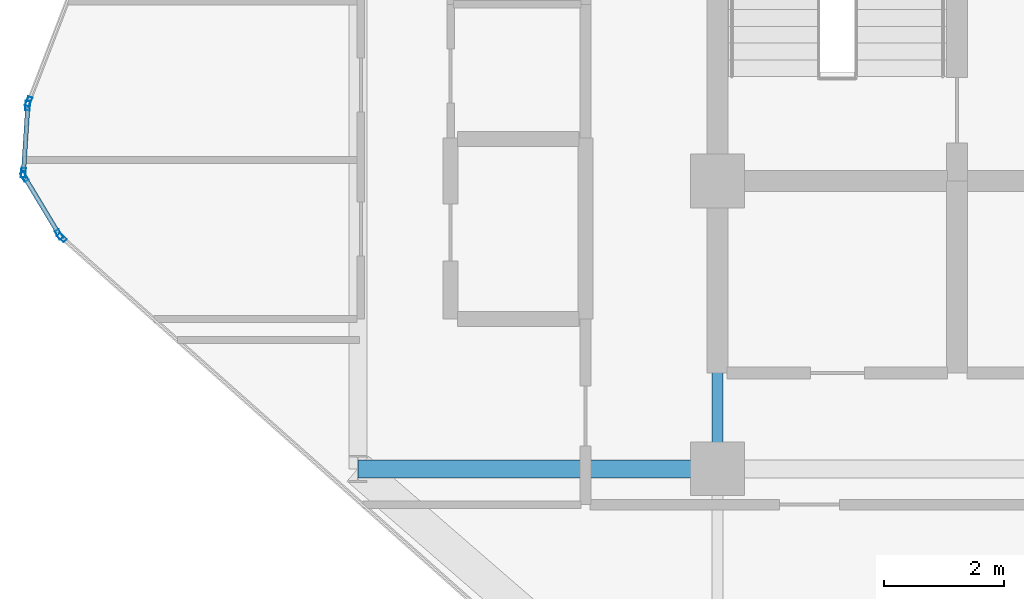
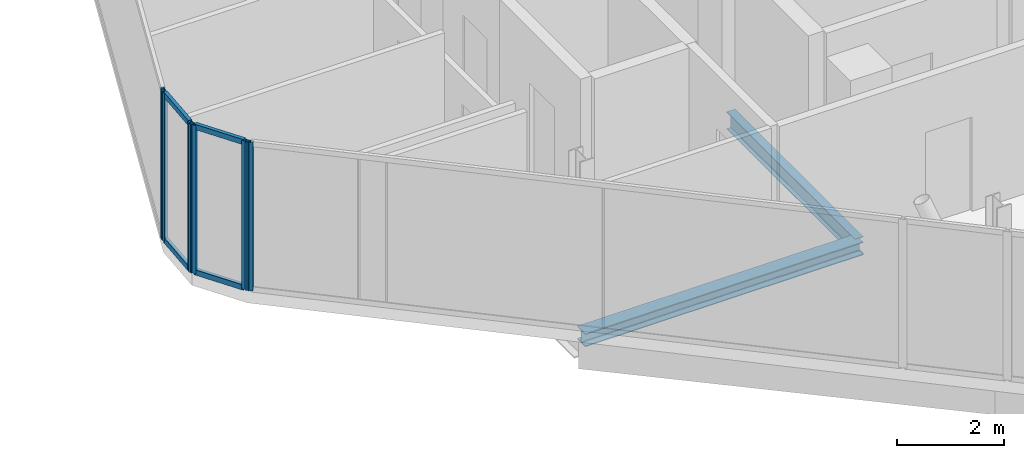
# One storey, part 8 of 29: 10 members, 2 beams, 4 elements without a shape of their own.
"""IFC4 building model written with IfcOpenShell, lengths in metres."""

from ifc_helpers import new_model, si_unit, direction, frame, origin, origin_2d, place, context, subcontext, project, spatial, hollow_rectangle, i_section, extrude, material, layer, layer_set, material_profile, profile_set, type_object, element, aggregate, save


model = new_model("IFC4")

# Units and contexts
model_context = context("Model", 3, precision=1e-05, world=origin(), true_north=direction((0.0, 1.0)))
body_context = subcontext(model_context, "Body", "Model", "MODEL_VIEW")
ifc_project = project(units=[si_unit("LENGTHUNIT", "METRE"), si_unit("AREAUNIT", "SQUARE_METRE"), si_unit("VOLUMEUNIT", "CUBIC_METRE"), si_unit("PLANEANGLEUNIT", "RADIAN"), si_unit("MASSUNIT", "GRAM", prefix="KILO")], contexts=[model_context])

# Site, building, storey
site_placement = place(None, origin())
site = spatial("IfcSite", under=ifc_project, at=site_placement, CompositionType="ELEMENT")
building_placement = place(site_placement, origin())
building = spatial("IfcBuilding", under=site, at=building_placement, Name="Keshet Zoharim Tower", CompositionType="ELEMENT")
storey_placement = place(building_placement, frame((0.0, 0.0, 169.10009765625)))
storey = spatial("IfcBuildingStorey", under=building, at=storey_placement, Name="L41", CompositionType="ELEMENT", Elevation=169.10009765625)

# Beams
ifc_material_1 = material(Name="Steel S355", Category="steel")
ifc_material_profile_1 = material_profile(ifc_material_1, i_section(OverallWidth=0.300048828125, OverallDepth=0.300048828125, WebThickness=0.010986328125, FlangeThickness=0.01904296875, FilletRadius=0.027099609375, at=origin_2d()), Name="HEB300")
ifc_profile_set_1 = profile_set([ifc_material_profile_1], Name="Steel S355")
beam_type_1 = type_object("IfcBeamType", Name="BM-PRI-HB300", PredefinedType="BEAM", material=ifc_profile_set_1)
beam_1_placement = place(storey_placement, frame((9.0, 17.89990234375, -0.460205078125), z_axis=(1.0, 0.0, 0.0), x_axis=(0.0, 1.0, 0.0)))
element("IfcBeam", 1, at=beam_1_placement, inside=storey, type_object=beam_type_1, Name="L41 Primary Girder X-011", PredefinedType="BEAM", context=body_context, shape_type="SweptSolid", body=[
    extrude(i_section(OverallWidth=0.300048828125, OverallDepth=0.300048828125, WebThickness=0.010986328125, FlangeThickness=0.01904296875, FilletRadius=0.027099609375, at=origin_2d()), origin(), (0.0, 0.0, 1.0), 6.0),
])
ifc_material_profile_2 = material_profile(ifc_material_1, i_section(OverallWidth=0.179931640625, OverallDepth=0.39990234375, WebThickness=0.008544921875, FlangeThickness=0.013427734375, FilletRadius=0.02099609375, at=origin_2d()), Name="IPE400")
ifc_profile_set_2 = profile_set([ifc_material_profile_2], Name="Steel S355")
beam_type_2 = type_object("IfcBeamType", Name="BM-PRI-IP400", PredefinedType="BEAM", material=ifc_profile_set_2)
beam_2_placement = place(storey_placement, frame((15.0, 17.89990234375, -0.510009765625), z_axis=(0.0, 1.0, 0.0), x_axis=(-1.0, 0.0, 0.0)))
element("IfcBeam", 2, at=beam_2_placement, inside=storey, type_object=beam_type_2, Name="L41 Primary Girder Y-003", PredefinedType="BEAM", context=body_context, shape_type="SweptSolid", body=[
    extrude(i_section(OverallWidth=0.179931640625, OverallDepth=0.39990234375, WebThickness=0.008544921875, FlangeThickness=0.013427734375, FilletRadius=0.02099609375, at=origin_2d()), origin(), (0.0, 0.0, 1.0), 4.800048828125),
])

# Curtain wall, member
ifc_material_2 = material(Name="Aluminium 6063-T6", Category="aluminium")
ifc_layer = layer(ifc_material_2, 0.139892578125)
ifc_layer_set = layer_set([ifc_layer], Name="Aluminium 6063-T6")
curtain_wall_type = type_object("IfcCurtainWallType", Name="CW-SYS-05", PredefinedType="NOTDEFINED", material=ifc_layer_set)
curtain_wall_1_placement = place(storey_placement, origin())
curtain_wall_1 = element("IfcCurtainWall", 3, at=curtain_wall_1_placement, inside=storey, type_object=curtain_wall_type, Name="L41 Unitised Curtain Wall 10 Part 3", PredefinedType="NOTDEFINED")
ifc_material_profile_3 = material_profile(ifc_material_2, hollow_rectangle(XDim=0.074951171875, YDim=0.159912109375, WallThickness=0.00390625, at=origin_2d()), Name="MUL-75x160")
ifc_profile_set_3 = profile_set([ifc_material_profile_3], Name="Aluminium 6063-T6")
member_type_1 = type_object("IfcMemberType", Name="CWM-M15", PredefinedType="MULLION", material=ifc_profile_set_3)
member_1_placement = place(storey_placement, frame((4.061279296875, 21.7568359375, 0.0), z_axis=(0.0, 0.0, 1.0), x_axis=(-0.664366823013, -0.747406666066, 0.0)))
member_1 = element("IfcMember", 4, at=member_1_placement, type_object=member_type_1, Name="CW-05 mullion 2", PredefinedType="MULLION", context=body_context, shape_type="SweptSolid", body=[
    extrude(hollow_rectangle(XDim=0.074951171875, YDim=0.159912109375, WallThickness=0.00390625, at=origin_2d()), origin(), (0.0, 0.0, 1.0), 3.389892578125),
])
aggregate(curtain_wall_1, [member_1])

# Curtain wall, members
curtain_wall_2_placement = place(storey_placement, origin())
curtain_wall_2 = element("IfcCurtainWall", 5, at=curtain_wall_2_placement, inside=storey, type_object=curtain_wall_type, Name="L41 Unitised Curtain Wall 11", PredefinedType="NOTDEFINED")
member_2_placement = place(storey_placement, frame((4.016845703125, 21.81005859375, 0.0), z_axis=(0.0, 0.0, 1.0), x_axis=(-0.856826433805, -0.515604947933, 0.0)))
member_2 = element("IfcMember", 6, at=member_2_placement, type_object=member_type_1, Name="CW-05 mullion 1", PredefinedType="MULLION", context=body_context, shape_type="SweptSolid", body=[
    extrude(hollow_rectangle(XDim=0.074951171875, YDim=0.159912109375, WallThickness=0.00390625, at=origin_2d()), origin(), (0.0, 0.0, 1.0), 3.389892578125),
])
member_3_placement = place(storey_placement, frame((3.43798828125, 22.77197265625, 0.0), z_axis=(0.0, 0.0, 1.0), x_axis=(-0.856826433805, -0.515604947933, 0.0)))
member_3 = element("IfcMember", 7, at=member_3_placement, type_object=member_type_1, Name="CW-05 mullion 2", PredefinedType="MULLION", context=body_context, shape_type="SweptSolid", body=[
    extrude(hollow_rectangle(XDim=0.074951171875, YDim=0.159912109375, WallThickness=0.00390625, at=origin_2d()), origin(), (0.0, 0.0, 1.0), 3.389892578125),
])

curtain_wall_3_placement = place(storey_placement, origin())
curtain_wall_3 = element("IfcCurtainWall", 8, at=curtain_wall_3_placement, inside=storey, type_object=curtain_wall_type, Name="L41 Unitised Curtain Wall 12", PredefinedType="NOTDEFINED")
member_4_placement = place(storey_placement, frame((3.42236328125, 22.8369140625, 0.0), z_axis=(0.0, 0.0, 1.0), x_axis=(-0.997916617186, 0.064516859374, 0.0)))
member_4 = element("IfcMember", 9, at=member_4_placement, type_object=member_type_1, Name="CW-05 mullion 1", PredefinedType="MULLION", context=body_context, shape_type="SweptSolid", body=[
    extrude(hollow_rectangle(XDim=0.074951171875, YDim=0.159912109375, WallThickness=0.00390625, at=origin_2d()), origin(), (0.0, 0.0, 1.0), 3.389892578125),
])
member_5_placement = place(storey_placement, frame((3.49462890625, 23.9580078125, 0.0), z_axis=(0.0, 0.0, 1.0), x_axis=(-0.997916617186, 0.064516859374, 0.0)))
member_5 = element("IfcMember", 10, at=member_5_placement, type_object=member_type_1, Name="CW-05 mullion 2", PredefinedType="MULLION", context=body_context, shape_type="SweptSolid", body=[
    extrude(hollow_rectangle(XDim=0.074951171875, YDim=0.159912109375, WallThickness=0.00390625, at=origin_2d()), origin(), (0.0, 0.0, 1.0), 3.389892578125),
])

# Curtain wall, member
curtain_wall_4_placement = place(storey_placement, origin())
curtain_wall_4 = element("IfcCurtainWall", 11, at=curtain_wall_4_placement, inside=storey, type_object=curtain_wall_type, Name="L41 Unitised Curtain Wall 13", PredefinedType="NOTDEFINED")
member_6_placement = place(storey_placement, frame((3.509521484375, 24.025634765625, 0.0), z_axis=(0.0, 0.0, 1.0), x_axis=(-0.933341404361, 0.358990003907, 0.0)))
member_6 = element("IfcMember", 12, at=member_6_placement, type_object=member_type_1, Name="CW-05 mullion 1", PredefinedType="MULLION", context=body_context, shape_type="SweptSolid", body=[
    extrude(hollow_rectangle(XDim=0.074951171875, YDim=0.159912109375, WallThickness=0.00390625, at=origin_2d()), origin(), (0.0, 0.0, 1.0), 3.389892578125),
])
aggregate(curtain_wall_4, [member_6])

# Member
ifc_material_profile_4 = material_profile(ifc_material_2, hollow_rectangle(XDim=0.074951171875, YDim=0.1201171875, WallThickness=0.00390625, at=origin_2d()), Name="TRN-75x120")
ifc_profile_set_4 = profile_set([ifc_material_profile_4], Name="Aluminium 6063-T6")
member_type_2 = type_object("IfcMemberType", Name="CWT-T12", PredefinedType="USERDEFINED", material=ifc_profile_set_4)
member_7_placement = place(storey_placement, frame((3.9990234375, 21.840087890625, 0.034912109375), z_axis=(-0.515791194107, 0.856714330499, 0.0), x_axis=(-0.856714330499, -0.515791194107, 0.0)))
member_7 = element("IfcMember", 13, at=member_7_placement, type_object=member_type_2, Name="CW-05 transom 1.1", ObjectType="TRANSOM", PredefinedType="USERDEFINED", context=body_context, shape_type="SweptSolid", body=[
    extrude(hollow_rectangle(XDim=0.074951171875, YDim=0.1201171875, WallThickness=0.00390625, at=origin_2d()), origin(), (0.0, 0.0, 1.0), 1.052734375),
])

member_8_placement = place(storey_placement, frame((3.9990234375, 21.840087890625, 3.35498046875), z_axis=(-0.515791194107, 0.856714330499, 0.0), x_axis=(-0.856714330499, -0.515791194107, 0.0)))
member_8 = element("IfcMember", 14, at=member_8_placement, type_object=member_type_2, Name="CW-05 transom 1.2", ObjectType="TRANSOM", PredefinedType="USERDEFINED", context=body_context, shape_type="SweptSolid", body=[
    extrude(hollow_rectangle(XDim=0.074951171875, YDim=0.1201171875, WallThickness=0.00390625, at=origin_2d()), origin(), (0.0, 0.0, 1.0), 1.052734375),
])

aggregate(curtain_wall_2, [member_2, member_3, member_7, member_8])

member_9_placement = place(storey_placement, frame((3.424560546875, 22.871826171875, 0.034912109375), z_axis=(0.064426947155, 0.997922426083, 0.0), x_axis=(-0.997922426083, 0.064426947155, 0.0)))
member_9 = element("IfcMember", 15, at=member_9_placement, type_object=member_type_2, Name="CW-05 transom 1.1", ObjectType="TRANSOM", PredefinedType="USERDEFINED", context=body_context, shape_type="SweptSolid", body=[
    extrude(hollow_rectangle(XDim=0.074951171875, YDim=0.1201171875, WallThickness=0.00390625, at=origin_2d()), origin(), (0.0, 0.0, 1.0), 1.053466796875),
])

member_10_placement = place(storey_placement, frame((3.424560546875, 22.871826171875, 3.35498046875), z_axis=(0.064426947155, 0.997922426083, 0.0), x_axis=(-0.997922426083, 0.064426947155, 0.0)))
member_10 = element("IfcMember", 16, at=member_10_placement, type_object=member_type_2, Name="CW-05 transom 1.2", ObjectType="TRANSOM", PredefinedType="USERDEFINED", context=body_context, shape_type="SweptSolid", body=[
    extrude(hollow_rectangle(XDim=0.074951171875, YDim=0.1201171875, WallThickness=0.00390625, at=origin_2d()), origin(), (0.0, 0.0, 1.0), 1.053466796875),
])

aggregate(curtain_wall_3, [member_4, member_5, member_9, member_10])

save(model, "model.ifc")
